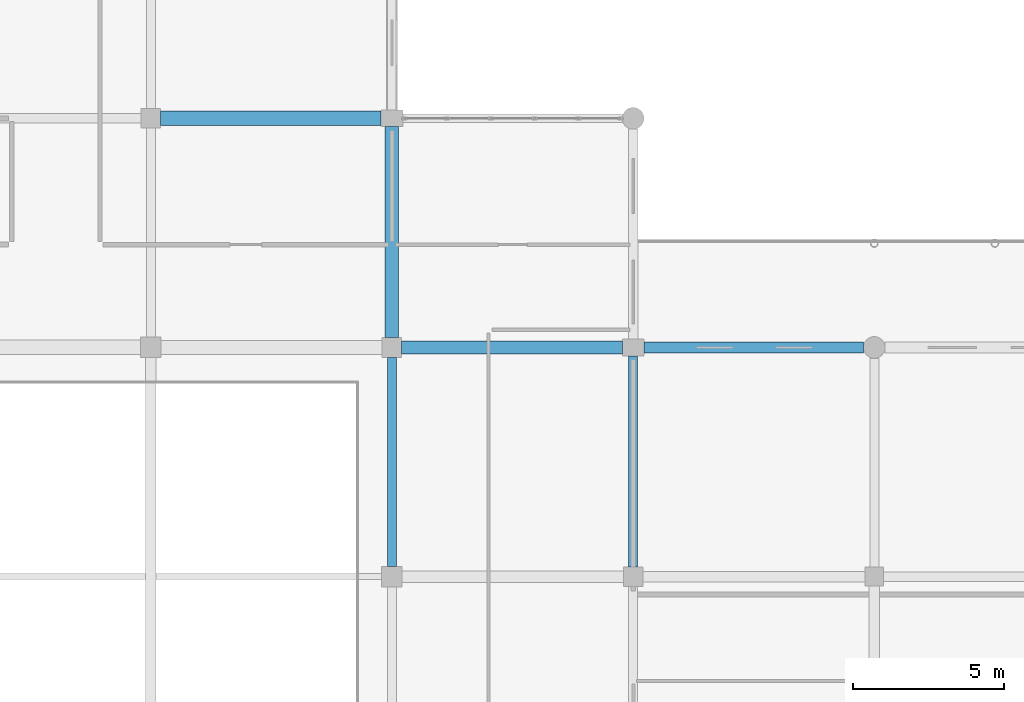
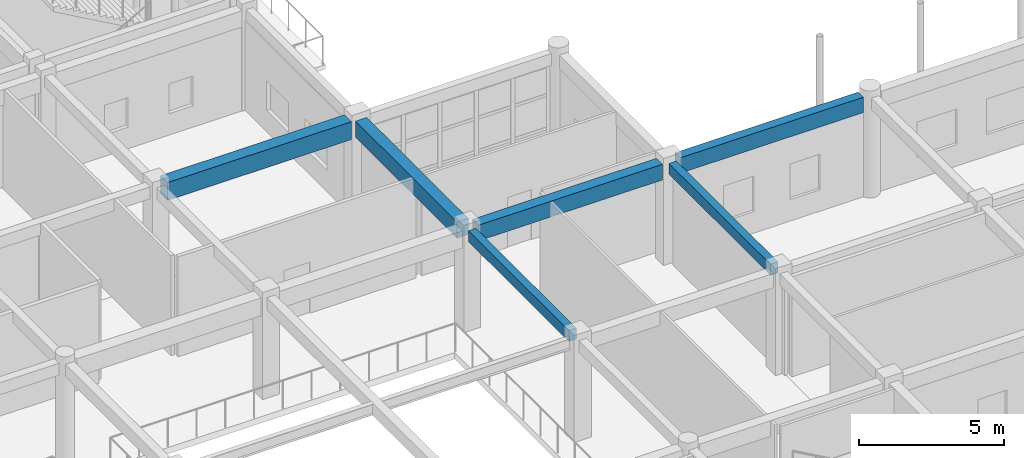
# One storey, part 47 of 160: 6 beams.
"""IFC4 building model written with IfcOpenShell, lengths in metres."""

from ifc_helpers import new_model, si_unit, direction, frame, origin, origin_2d, place, context, subcontext, project, spatial, rectangle, extrude, material, material_profile, profile_set, type_object, element, save


model = new_model("IFC4")

# Units and contexts
model_context = context("Model", 3, precision=1e-05, world=origin(), true_north=direction((0.0, 1.0)))
body_context = subcontext(model_context, "Body", "Model", "MODEL_VIEW")
ifc_project = project(units=[si_unit("LENGTHUNIT", "METRE"), si_unit("AREAUNIT", "SQUARE_METRE"), si_unit("VOLUMEUNIT", "CUBIC_METRE"), si_unit("PLANEANGLEUNIT", "RADIAN"), si_unit("MASSUNIT", "GRAM", prefix="KILO")], contexts=[model_context])

# Site, building, storey
site_placement = place(None, origin())
site = spatial("IfcSite", under=ifc_project, at=site_placement, CompositionType="ELEMENT")
building_placement = place(site_placement, origin())
building = spatial("IfcBuilding", under=site, at=building_placement, Name="Kharva Crest Polytechnic", CompositionType="ELEMENT")
storey_placement = place(building_placement, frame((0.0, 0.0, 4.5)))
storey = spatial("IfcBuildingStorey", under=building, at=storey_placement, Name="L01", CompositionType="ELEMENT", Elevation=4.5)

# Beams
ifc_material = material(Name="Concrete C35/45", Category="concrete")
ifc_material_profile_1 = material_profile(ifc_material, rectangle(XDim=0.300048828125, YDim=0.449951171875, at=origin_2d()), Name="RECT 300 X 450")
ifc_profile_set_1 = profile_set([ifc_material_profile_1], Name="Concrete C35/45")
beam_type_1 = type_object("IfcBeamType", Name="BM-RC-300X450", PredefinedType="BEAM", material=ifc_profile_set_1)
beam_1_placement = place(storey_placement, frame((48.0, 15.5400390625, 3.9951171875), z_axis=(0.0, 1.0, 0.0), x_axis=(-1.0, 0.0, 0.0)))
element("IfcBeam", 1, at=beam_1_placement, inside=storey, type_object=beam_type_1, Name="L01 Girder 7/C-D", PredefinedType="BEAM", context=body_context, shape_type="SweptSolid", body=[
    extrude(rectangle(XDim=0.300048828125, YDim=0.449951171875, at=origin_2d()), origin(), (0.0, 0.0, 1.0), 6.93505859375),
])
beam_2_placement = place(storey_placement, frame((56.0, 15.52490234375, 3.9951171875), z_axis=(0.0, 1.0, 0.0), x_axis=(-1.0, 0.0, 0.0)))
element("IfcBeam", 2, at=beam_2_placement, inside=storey, type_object=beam_type_1, Name="L01 Girder 8/C-D", PredefinedType="BEAM", context=body_context, shape_type="SweptSolid", body=[
    extrude(rectangle(XDim=0.300048828125, YDim=0.449951171875, at=origin_2d()), origin(), (0.0, 0.0, 1.0), 7.0),
])
ifc_material_profile_2 = material_profile(ifc_material, rectangle(XDim=0.419921875, YDim=0.659912109375, at=origin_2d()), Name="RECT 420 X 660")
ifc_profile_set_2 = profile_set([ifc_material_profile_2], Name="Concrete C35/45")
beam_type_2 = type_object("IfcBeamType", Name="BM-RC-420X660", PredefinedType="BEAM", material=ifc_profile_set_2)
beam_3_placement = place(storey_placement, frame((48.324951171875, 22.800048828125, 3.889892578125), z_axis=(1.0, 0.0, 0.0), x_axis=(0.0, 1.0, 0.0)))
element("IfcBeam", 3, at=beam_3_placement, inside=storey, type_object=beam_type_2, Name="L01 Beam D/7-8", PredefinedType="BEAM", context=body_context, shape_type="SweptSolid", body=[
    extrude(rectangle(XDim=0.419921875, YDim=0.659912109375, at=origin_2d()), origin(), (0.0, 0.0, 1.0), 7.31494140625),
])
ifc_material_profile_3 = material_profile(ifc_material, rectangle(XDim=0.449951171875, YDim=0.679931640625, at=origin_2d()), Name="RECT 450 X 680")
ifc_profile_set_3 = profile_set([ifc_material_profile_3], Name="Concrete C35/45")
beam_type_3 = type_object("IfcBeamType", Name="BM-RC-450X680", PredefinedType="BEAM", material=ifc_profile_set_3)
beam_4_placement = place(storey_placement, frame((48.0, 23.125, 3.8798828125), z_axis=(0.0, 1.0, 0.0), x_axis=(-1.0, 0.0, 0.0)))
element("IfcBeam", 4, at=beam_4_placement, inside=storey, type_object=beam_type_3, Name="L01 Girder 7/D-E", PredefinedType="BEAM", context=body_context, shape_type="SweptSolid", body=[
    extrude(rectangle(XDim=0.449951171875, YDim=0.679931640625, at=origin_2d()), origin(), (0.0, 0.0, 1.0), 7.0),
])
ifc_material_profile_4 = material_profile(ifc_material, rectangle(XDim=0.47998046875, YDim=0.75, at=origin_2d()), Name="RECT 480 X 750")
ifc_profile_set_4 = profile_set([ifc_material_profile_4], Name="Concrete C35/45")
beam_type_4 = type_object("IfcBeamType", Name="BM-RC-480X750", PredefinedType="BEAM", material=ifc_profile_set_4)
beam_5_placement = place(storey_placement, frame((40.324951171875, 30.39990234375, 3.844970703125), z_axis=(1.0, 0.0, 0.0), x_axis=(0.0, 1.0, 0.0)))
element("IfcBeam", 5, at=beam_5_placement, inside=storey, type_object=beam_type_4, Name="L01 Beam E/6-7", PredefinedType="BEAM", context=body_context, shape_type="SweptSolid", body=[
    extrude(rectangle(XDim=0.47998046875, YDim=0.75, at=origin_2d()), origin(), (0.0, 0.0, 1.0), 7.31494140625),
])
ifc_material_profile_5 = material_profile(ifc_material, rectangle(XDim=0.360107421875, YDim=0.64990234375, at=origin_2d()), Name="RECT 360 X 650")
ifc_profile_set_5 = profile_set([ifc_material_profile_5], Name="Concrete C35/45")
beam_type_5 = type_object("IfcBeamType", Name="SP-RC-360X650", PredefinedType="SPANDREL", material=ifc_profile_set_5)
beam_6_placement = place(storey_placement, frame((56.360107421875, 22.800048828125, 3.89501953125), z_axis=(1.0, 0.0, 0.0), x_axis=(0.0, 1.0, 0.0)))
element("IfcBeam", 6, at=beam_6_placement, inside=storey, type_object=beam_type_5, Name="L01 Beam D/8-9", PredefinedType="SPANDREL", context=body_context, shape_type="SweptSolid", body=[
    extrude(rectangle(XDim=0.360107421875, YDim=0.64990234375, at=origin_2d()), origin(), (0.0, 0.0, 1.0), 7.27978515625),
])

save(model, "model.ifc")
